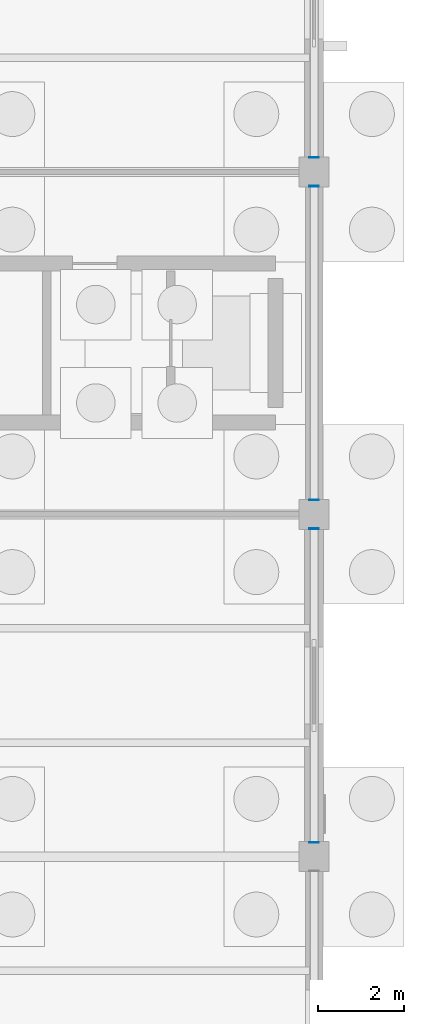
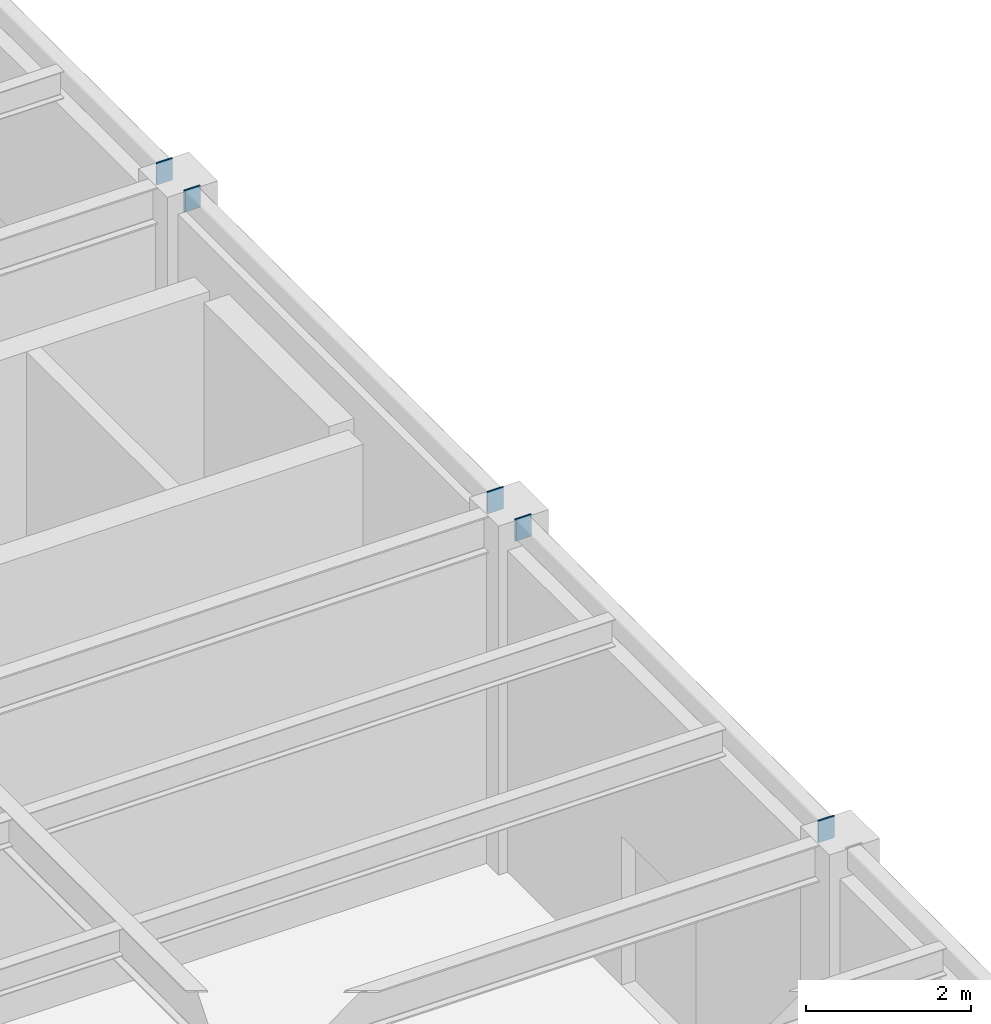
# One storey, part 121 of 138: 5 discrete accessories.
"""IFC4 building model written with IfcOpenShell, lengths in metres."""

from ifc_helpers import new_model, si_unit, direction, frame, origin, origin_2d, place, context, subcontext, project, spatial, rectangle, extrude, material, layer, layer_set, type_object, element, save


model = new_model("IFC4")

# Units and contexts
model_context = context("Model", 3, precision=1e-05, world=origin(), true_north=direction((0.0, 1.0)))
body_context = subcontext(model_context, "Body", "Model", "MODEL_VIEW")
ifc_project = project(units=[si_unit("LENGTHUNIT", "METRE"), si_unit("AREAUNIT", "SQUARE_METRE"), si_unit("VOLUMEUNIT", "CUBIC_METRE"), si_unit("PLANEANGLEUNIT", "RADIAN"), si_unit("MASSUNIT", "GRAM", prefix="KILO")], contexts=[model_context])

# Site, building, storey
site_placement = place(None, origin())
site = spatial("IfcSite", under=ifc_project, at=site_placement, CompositionType="ELEMENT")
building_placement = place(site_placement, origin())
building = spatial("IfcBuilding", under=site, at=building_placement, Name="Kranzveld Transit Interchange", CompositionType="ELEMENT")
storey_placement = place(building_placement, origin())
storey = spatial("IfcBuildingStorey", under=building, at=storey_placement, Name="L00", CompositionType="ELEMENT", Elevation=0.0)

# Discrete accessories
ifc_material = material(Name="Steel S355JR", Category="steel")
ifc_layer = layer(ifc_material, 0.02001953125)
ifc_layer_set = layer_set([ifc_layer], Name="Steel S355JR")
discrete_accessory_type = type_object("IfcDiscreteAccessoryType", Name="Hollow Section End Cap Bracket 20 S355JR", PredefinedType="BRACKET", material=ifc_layer_set)
for number, where, z_axis, x_axis, name in (
    (1, (168.0, 64.343994140625, 5.0), (0.0, -1.0, 0.0), (1.0, 0.0, 0.0), "Hollow Section End Cap SP-RHS300-1"),
    (2, (168.0, 71.656005859375, 5.0), (0.0, 1.0, 0.0), (-1.0, 0.0, 0.0), "Hollow Section End Cap SP-RHS300-2"),
    (3, (168.0, 72.343994140625, 5.0), (0.0, -1.0, 0.0), (1.0, 0.0, 0.0), "Hollow Section End Cap SP-RHS300-1"),
    (4, (168.0, 79.656005859375, 5.0), (0.0, 1.0, 0.0), (-1.0, 0.0, 0.0), "Hollow Section End Cap SP-RHS300-2"),
    (5, (168.0, 80.343994140625, 5.0), (0.0, -1.0, 0.0), (1.0, 0.0, 0.0), "Hollow Section End Cap SP-RHS300-1"),
):
    element("IfcDiscreteAccessory", number, at=place(storey_placement, frame(where, z_axis=z_axis, x_axis=x_axis)), inside=storey, type_object=discrete_accessory_type, Name=name, PredefinedType="BRACKET", context=body_context, shape_type="SweptSolid", body=[
        extrude(rectangle(XDim=0.22412109375, YDim=0.323974609375, at=origin_2d()), origin(), (0.0, 0.0, 1.0), 0.02001953125),
    ])

save(model, "model.ifc")
